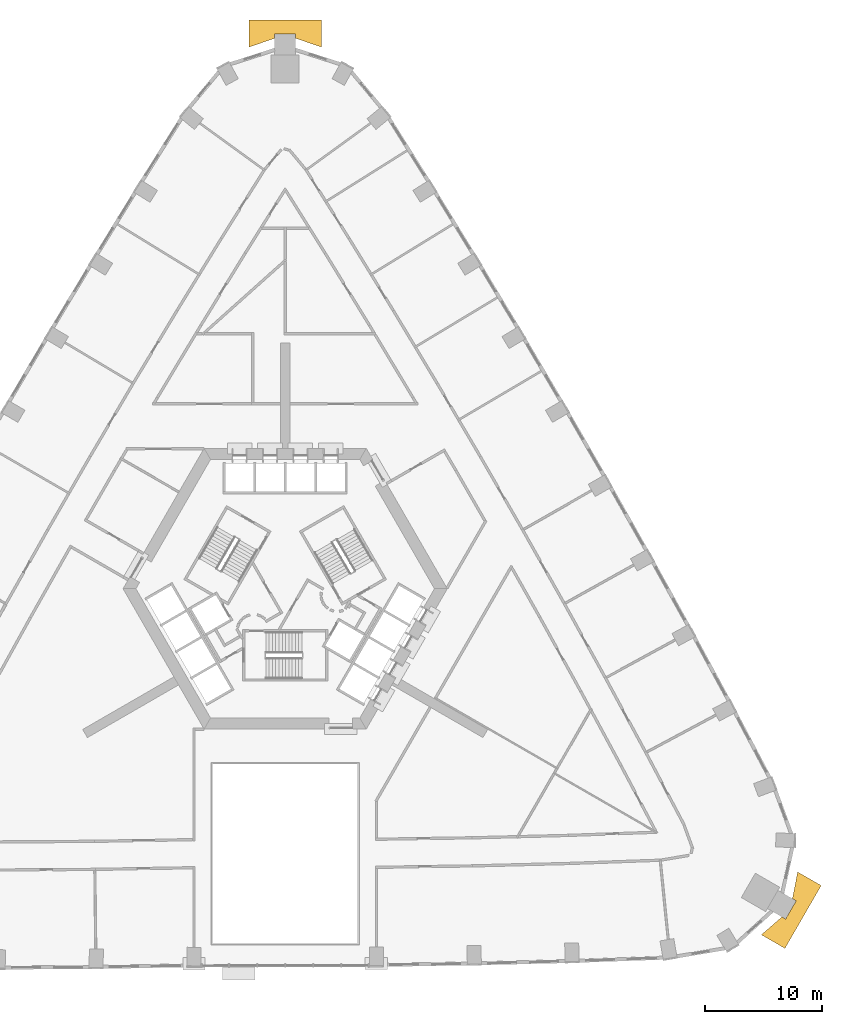
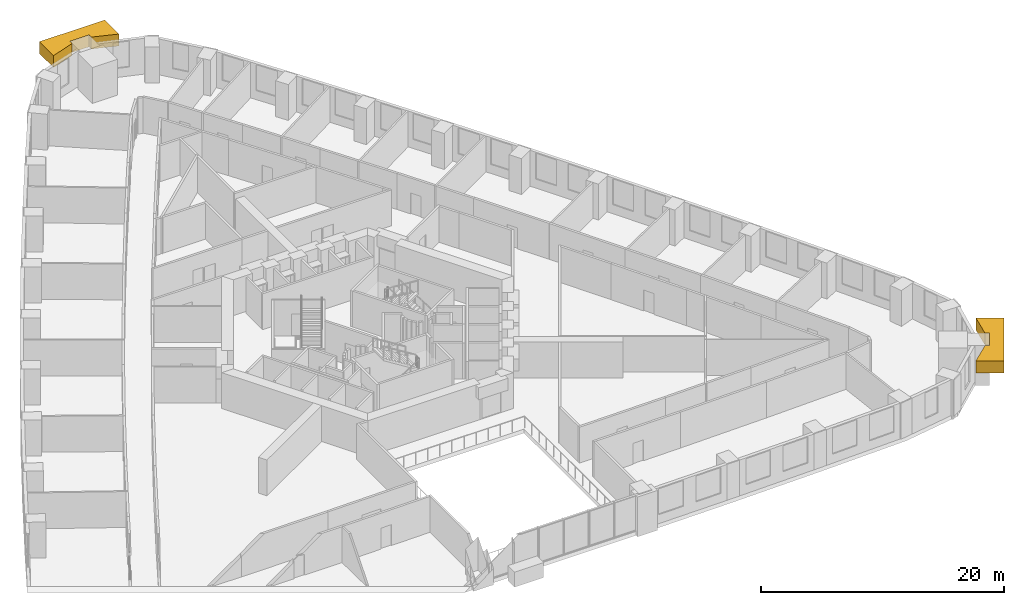
# One storey, part 15 of 15: 2 coverings.
"""IFC4 building model written with IfcOpenShell, lengths in metres."""

import ifcopenshell
import ifcopenshell.guid

model = None  # the IFC model being written
_history = None  # IfcOwnerHistory: only IFC2X3 demands one
_inside = {}  # id of a spatial element -> (the spatial element, [elements in it])
_under = {}  # id of a project, library or spatial element -> (it, [spatial elements below it])
_declared = {}  # id of a project -> (the project, [libraries it declares])
_typed = {}  # id of a type object -> (the type object, [elements of that type])
_made_of = {}  # id of a material, layer set ... -> (it, [elements and type objects made of it])


def new_model(schema):
    """Start an empty IFC model of exactly this schema.

    Asked for "IFC4X3", IfcOpenShell would pick the latest addendum, in which some entities
    have other attributes; the version numbers below select the first issue.
    IFC2X3 requires an IfcOwnerHistory on every rooted entity: one is made here for all.
    """
    global model, _history
    if schema == "IFC4X3":
        model = ifcopenshell.file(schema_version=(4, 3, 0, 0))
    else:
        model = ifcopenshell.file(schema=schema)
    _inside.clear()
    _under.clear()
    _declared.clear()
    _typed.clear()
    _made_of.clear()
    _history = None
    if model.schema == "IFC2X3":
        org = make("IfcOrganization", Name="unknown")
        user = make(
            "IfcPersonAndOrganization",
            ThePerson=make("IfcPerson", FamilyName="unknown"),
            TheOrganization=org,
        )
        app = make(
            "IfcApplication",
            ApplicationDeveloper=org,
            Version="unknown",
            ApplicationFullName="unknown",
            ApplicationIdentifier="unknown",
        )
        _history = make(
            "IfcOwnerHistory",
            OwningUser=user,
            OwningApplication=app,
            ChangeAction="ADDED",
            CreationDate=0,
        )
    return model


def make(cls, **values):
    """One entity of the class cls with the attributes given. An attribute that is None is left unset."""
    return model.create_entity(
        cls, **{name: value for name, value in values.items() if value is not None}
    )


def rooted(cls, **values):
    """An entity with a GlobalId (a new one), such as an element, a storey or a relation."""
    return make(cls, GlobalId=ifcopenshell.guid.new(), OwnerHistory=_history, **values)


def si_unit(unit_type, name, prefix=None):
    """IfcSIUnit, for example si_unit("LENGTHUNIT", "METRE", prefix="MILLI")."""
    return make("IfcSIUnit", UnitType=unit_type, Prefix=prefix, Name=name)


def assignment(units):
    """IfcUnitAssignment: the units of a project."""
    return None if units is None else make("IfcUnitAssignment", Units=units)


def point(xyz):
    """IfcCartesianPoint."""
    return None if xyz is None else make("IfcCartesianPoint", Coordinates=xyz)


def direction(xyz):
    """IfcDirection."""
    return None if xyz is None else make("IfcDirection", DirectionRatios=xyz)


def frame(location, z_axis=None, x_axis=None):
    """IfcAxis2Placement3D, a coordinate frame: its origin and axes. An axis left out is left unset."""
    return make(
        "IfcAxis2Placement3D",
        Location=point(location),
        Axis=direction(z_axis),
        RefDirection=direction(x_axis),
    )


def origin():
    """The frame at (0, 0, 0) with its axes left unset."""
    return frame((0.0, 0.0, 0.0))


def place(relative_to, where):
    """IfcLocalPlacement: puts the frame where relative to a parent placement (None: the world)."""
    return make(
        "IfcLocalPlacement", PlacementRelTo=relative_to, RelativePlacement=where
    )


def context(
    kind, dimensions, precision=None, world=None, true_north=None, identifier=None
):
    """IfcGeometricRepresentationContext, for example the 3D "Model" context."""
    return make(
        "IfcGeometricRepresentationContext",
        ContextIdentifier=identifier,
        ContextType=kind,
        CoordinateSpaceDimension=dimensions,
        Precision=precision,
        WorldCoordinateSystem=world,
        TrueNorth=true_north,
    )


def subcontext(parent, identifier, kind, view, scale=None):
    """IfcGeometricRepresentationSubContext, for example "Body" below "Model"."""
    return make(
        "IfcGeometricRepresentationSubContext",
        ContextIdentifier=identifier,
        ContextType=kind,
        ParentContext=parent,
        TargetScale=scale,
        TargetView=view,
    )


def project(units=None, contexts=None):
    """IfcProject with its units and contexts."""
    return rooted(
        "IfcProject",
        Name="project",
        RepresentationContexts=contexts,
        UnitsInContext=assignment(units),
    )


def spatial(cls, under=None, at=None, **own):
    """A site, building, storey or space (cls), placed at a placement, below another one or the project."""
    s = rooted(cls, ObjectPlacement=at, **own)
    if under is not None:
        _under.setdefault(under.id(), (under, []))[1].append(s)
    return s


def polyline(points):
    """IfcPolyline through the points."""
    return make("IfcPolyline", Points=[point(p) for p in points])


def outline(outer, holes=None, kind="AREA"):
    """IfcArbitraryClosedProfileDef: a profile drawn as a closed curve; with holes, ...WithVoids."""
    if holes is None:
        return make("IfcArbitraryClosedProfileDef", ProfileType=kind, OuterCurve=outer)
    return make(
        "IfcArbitraryProfileDefWithVoids",
        ProfileType=kind,
        OuterCurve=outer,
        InnerCurves=holes,
    )


def extrude(swept, where, along, depth):
    """IfcExtrudedAreaSolid: the profile swept, set in the frame where, extruded along a direction by depth."""
    return make(
        "IfcExtrudedAreaSolid",
        SweptArea=swept,
        Position=where,
        ExtrudedDirection=direction(along),
        Depth=depth,
    )


def shape(context_of_items, identifier, shape_type, items):
    """IfcShapeRepresentation: the items that make up one representation, for example the "Body"."""
    return make(
        "IfcShapeRepresentation",
        ContextOfItems=context_of_items,
        RepresentationIdentifier=identifier,
        RepresentationType=shape_type,
        Items=items,
    )


def material(Name=None, Category=None):
    """IfcMaterial."""
    return make("IfcMaterial", Name=Name, Category=Category)


def made_of(thing, what):
    """Note that an element or type object is made of a material, layer set ...; save() writes the relation."""
    if what is not None:
        _made_of.setdefault(what.id(), (what, []))[1].append(thing)
    return thing


def type_object(cls, material=None, **own):
    """A type object (cls), such as IfcWallType, which elements share."""
    return made_of(rooted(cls, **own), material)


def element(
    cls,
    number,
    at=None,
    inside=None,
    cuts=None,
    type_object=None,
    material=None,
    context=None,
    identifier="Body",
    shape_type=None,
    held_by="IfcProductDefinitionShape",
    body=None,
    shapes=None,
    **own,
):
    """One element of the class cls, such as IfcWall. Its Tag is "e" and its number.

    at: its placement. inside: the storey or other place that contains it. cuts: it is an
    opening in that element (IfcRelVoidsElement). A single representation is given by context,
    identifier, shape_type and body (its items); several are given by shapes. held_by: the class
    of the entity that holds the representations. save() writes the other relations.
    """
    e = rooted(cls, Tag="e%d" % number, ObjectPlacement=at, **own)
    if body is not None:
        shapes = [shape(context, identifier, shape_type, body)]
    if shapes is not None:
        e.Representation = make(held_by, Representations=shapes)
    if inside is not None:
        _inside.setdefault(inside.id(), (inside, []))[1].append(e)
    if cuts is not None:
        rooted(
            "IfcRelVoidsElement", RelatingBuildingElement=cuts, RelatedOpeningElement=e
        )
    if type_object is not None:
        _typed.setdefault(type_object.id(), (type_object, []))[1].append(e)
    return made_of(e, material)


def aggregate(whole, parts):
    """IfcRelAggregates: a whole, such as a stair, and the parts it consists of."""
    return rooted("IfcRelAggregates", RelatingObject=whole, RelatedObjects=parts)


def save(model, path):
    """Write the relations noted so far, then the file.

    IfcRelAggregates (storeys below a building ...), IfcRelContainedInSpatialStructure (elements
    in a storey), IfcRelDefinesByType, IfcRelAssociatesMaterial and IfcRelDeclares: one each for
    every whole, place, type object, material and project.
    """
    for whole, parts in _under.values():
        aggregate(whole, parts)
    for where, things in _inside.values():
        rooted(
            "IfcRelContainedInSpatialStructure",
            RelatedElements=things,
            RelatingStructure=where,
        )
    for kind, things in _typed.values():
        rooted("IfcRelDefinesByType", RelatedObjects=things, RelatingType=kind)
    for what, things in _made_of.values():
        rooted("IfcRelAssociatesMaterial", RelatedObjects=things, RelatingMaterial=what)
    for by, libraries in _declared.values():
        rooted("IfcRelDeclares", RelatingContext=by, RelatedDefinitions=libraries)
    model.write(path)


model = new_model("IFC4")

# Units and contexts
model_context = context("Model", 3, precision=1e-05, world=origin(), true_north=direction((0.0, 1.0)))
body_context = subcontext(model_context, "Body", "Model", "MODEL_VIEW")
ifc_project = project(units=[si_unit("LENGTHUNIT", "METRE"), si_unit("AREAUNIT", "SQUARE_METRE"), si_unit("VOLUMEUNIT", "CUBIC_METRE"), si_unit("PLANEANGLEUNIT", "RADIAN"), si_unit("MASSUNIT", "GRAM", prefix="KILO")], contexts=[model_context])

# Site, building, storey
site_placement = place(None, origin())
site = spatial("IfcSite", under=ifc_project, at=site_placement, CompositionType="ELEMENT")
building_placement = place(site_placement, origin())
building = spatial("IfcBuilding", under=site, at=building_placement, Name="Entoto Arch Interchange Tower", CompositionType="ELEMENT")
storey_placement = place(building_placement, frame((0.0, 0.0, 77.0)))
storey = spatial("IfcBuildingStorey", under=building, at=storey_placement, Name="L16", CompositionType="ELEMENT", Elevation=77.0)

# Coverings
ifc_material = material(Name="Board-marked precast concrete C50/60", Category="concrete")
covering_type = type_object("IfcCoveringType", Name="PRECAST FRAME COURSE", PredefinedType="CLADDING", material=ifc_material)
covering_1_placement = place(storey_placement, frame((0.0, 0.0, 2.39990234375)))
element("IfcCovering", 1, at=covering_1_placement, inside=storey, type_object=covering_type, Name="Corner pilaster head SE L15-L16", PredefinedType="CLADDING", context=body_context, shape_type="SweptSolid", body=[
    extrude(outline(polyline([(45.81103515625, -22.868896484375), (42.7109375, -28.239013671875), (40.699951171875, -27.077880859375), (42.455078125, -25.551025390625), (42.77099609375, -25.73291015625), (43.6708984375, -24.175048828125), (43.35498046875, -23.991943359375), (43.800048828125, -21.708984375), (45.81103515625, -22.868896484375)])), origin(), (0.0, 0.0, 1.0), 1.2001953125),
])
covering_2_placement = place(storey_placement, frame((0.0, 0.0, 2.39990234375)))
element("IfcCovering", 2, at=covering_2_placement, inside=storey, type_object=covering_type, Name="Corner pilaster head N L15-L16", PredefinedType="CLADDING", context=body_context, shape_type="SweptSolid", body=[
    extrude(outline(polyline([(-3.10009765625, 51.10791015625), (3.10009765625, 51.10791015625), (3.10009765625, 48.787109375), (0.89990234375, 49.54296875), (0.89990234375, 49.907958984375), (-0.89990234375, 49.907958984375), (-0.89990234375, 49.54296875), (-3.10009765625, 48.787109375), (-3.10009765625, 51.10791015625)])), origin(), (0.0, 0.0, 1.0), 1.2001953125),
])

save(model, "model.ifc")
